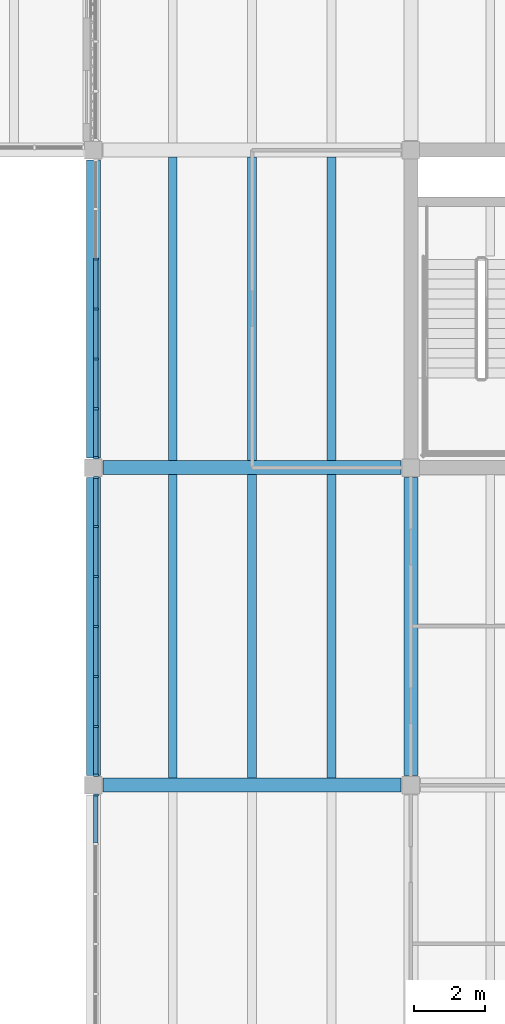
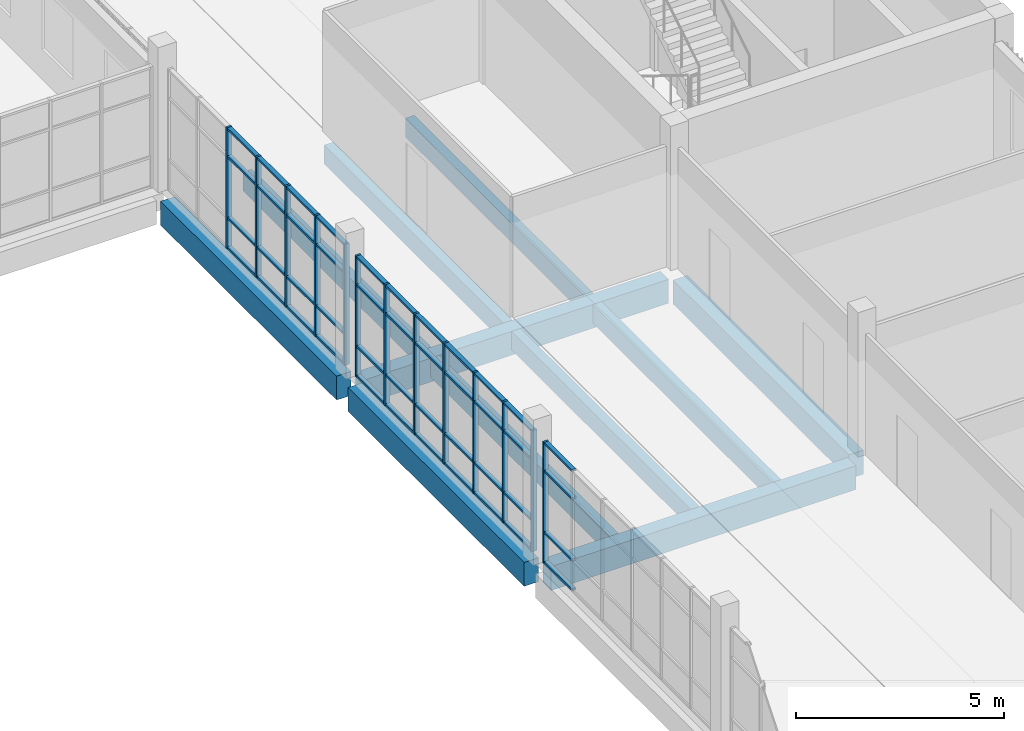
# One storey, part 22 of 92: 57 members, 11 beams, 3 elements without a shape of their own.
"""IFC4 building model written with IfcOpenShell, lengths in metres."""

from ifc_helpers import new_model, si_unit, direction, frame, origin, origin_2d, place, context, subcontext, project, spatial, rectangle, extrude, material, material_profile, profile_set, type_object, element, aggregate, save


model = new_model("IFC4")

# Units and contexts
model_context = context("Model", 3, precision=1e-05, world=origin(), true_north=direction((0.0, 1.0)))
body_context = subcontext(model_context, "Body", "Model", "MODEL_VIEW")
ifc_project = project(units=[si_unit("LENGTHUNIT", "METRE"), si_unit("AREAUNIT", "SQUARE_METRE"), si_unit("VOLUMEUNIT", "CUBIC_METRE"), si_unit("PLANEANGLEUNIT", "RADIAN"), si_unit("MASSUNIT", "GRAM", prefix="KILO")], contexts=[model_context])

# Site, building, storey
site_placement = place(None, origin())
site = spatial("IfcSite", under=ifc_project, at=site_placement, CompositionType="ELEMENT")
building_placement = place(site_placement, origin())
building = spatial("IfcBuilding", under=site, at=building_placement, Name="Merrow Basin Faculty of Sciences", CompositionType="ELEMENT")
storey_placement = place(building_placement, frame((0.0, 0.0, 4.5)))
storey = spatial("IfcBuildingStorey", under=building, at=storey_placement, Name="L01", CompositionType="ELEMENT", Elevation=4.5)

# Curtain wall, member
ifc_material_1 = material(Name="Aluminium alloy 6063", Category="aluminium")
curtain_wall_type = type_object("IfcCurtainWallType", Name="Court curtain wall 140", PredefinedType="NOTDEFINED", material=ifc_material_1)
curtain_wall_1_placement = place(storey_placement, origin())
curtain_wall_1 = element("IfcCurtainWall", 1, at=curtain_wall_1_placement, inside=storey, type_object=curtain_wall_type, Name="Court curtain wall L01 4", PredefinedType="NOTDEFINED")
ifc_material_2 = material(Name="Aluminium alloy 6063", Category="aluminium")
ifc_material_profile_1 = material_profile(ifc_material_2, rectangle(XDim=0.139892578125, YDim=0.06005859375, at=origin_2d()))
ifc_profile_set_1 = profile_set([ifc_material_profile_1], Name="Aluminium alloy 6063")
member_type_1 = type_object("IfcMemberType", Name="Aluminium mullion 60x140", PredefinedType="MULLION", material=ifc_profile_set_1)
member_1_placement = place(storey_placement, frame((54.070068359375, 96.719970703125, 0.0), z_axis=(0.0, 0.0, 1.0), x_axis=(-1.0, 0.0, 0.0)))
member_1 = element("IfcMember", 2, at=member_1_placement, type_object=member_type_1, Name="CW8 mullion 7", PredefinedType="MULLION", context=body_context, shape_type="SweptSolid", body=[
    extrude(rectangle(XDim=0.139892578125, YDim=0.06005859375, at=origin_2d()), origin(), (0.0, 0.0, 1.0), 3.550048828125),
])

# Curtain wall, members
curtain_wall_2_placement = place(storey_placement, origin())
curtain_wall_2 = element("IfcCurtainWall", 3, at=curtain_wall_2_placement, inside=storey, type_object=curtain_wall_type, Name="Court curtain wall L01 5", PredefinedType="NOTDEFINED")
member_2_placement = place(storey_placement, frame((54.070068359375, 97.280029296875, 0.0), z_axis=(0.0, 0.0, 1.0), x_axis=(-1.0, 0.0, 0.0)))
member_2 = element("IfcMember", 4, at=member_2_placement, type_object=member_type_1, Name="CW8 mullion 1", PredefinedType="MULLION", context=body_context, shape_type="SweptSolid", body=[
    extrude(rectangle(XDim=0.139892578125, YDim=0.06005859375, at=origin_2d()), origin(), (0.0, 0.0, 1.0), 3.550048828125),
])
member_3_placement = place(storey_placement, frame((54.070068359375, 98.666748046875, 0.0), z_axis=(0.0, 0.0, 1.0), x_axis=(-1.0, 0.0, 0.0)))
member_3 = element("IfcMember", 5, at=member_3_placement, type_object=member_type_1, Name="CW8 mullion 2", PredefinedType="MULLION", context=body_context, shape_type="SweptSolid", body=[
    extrude(rectangle(XDim=0.139892578125, YDim=0.06005859375, at=origin_2d()), origin(), (0.0, 0.0, 1.0), 3.550048828125),
])
member_4_placement = place(storey_placement, frame((54.070068359375, 100.083251953125, 0.0), z_axis=(0.0, 0.0, 1.0), x_axis=(-1.0, 0.0, 0.0)))
member_4 = element("IfcMember", 6, at=member_4_placement, type_object=member_type_1, Name="CW8 mullion 3", PredefinedType="MULLION", context=body_context, shape_type="SweptSolid", body=[
    extrude(rectangle(XDim=0.139892578125, YDim=0.06005859375, at=origin_2d()), origin(), (0.0, 0.0, 1.0), 3.550048828125),
])
member_5_placement = place(storey_placement, frame((54.070068359375, 101.5, 0.0), z_axis=(0.0, 0.0, 1.0), x_axis=(-1.0, 0.0, 0.0)))
member_5 = element("IfcMember", 7, at=member_5_placement, type_object=member_type_1, Name="CW8 mullion 4", PredefinedType="MULLION", context=body_context, shape_type="SweptSolid", body=[
    extrude(rectangle(XDim=0.139892578125, YDim=0.06005859375, at=origin_2d()), origin(), (0.0, 0.0, 1.0), 3.550048828125),
])
member_6_placement = place(storey_placement, frame((54.070068359375, 102.916748046875, 0.0), z_axis=(0.0, 0.0, 1.0), x_axis=(-1.0, 0.0, 0.0)))
member_6 = element("IfcMember", 8, at=member_6_placement, type_object=member_type_1, Name="CW8 mullion 5", PredefinedType="MULLION", context=body_context, shape_type="SweptSolid", body=[
    extrude(rectangle(XDim=0.139892578125, YDim=0.06005859375, at=origin_2d()), origin(), (0.0, 0.0, 1.0), 3.550048828125),
])
member_7_placement = place(storey_placement, frame((54.070068359375, 104.333251953125, 0.0), z_axis=(0.0, 0.0, 1.0), x_axis=(-1.0, 0.0, 0.0)))
member_7 = element("IfcMember", 9, at=member_7_placement, type_object=member_type_1, Name="CW8 mullion 6", PredefinedType="MULLION", context=body_context, shape_type="SweptSolid", body=[
    extrude(rectangle(XDim=0.139892578125, YDim=0.06005859375, at=origin_2d()), origin(), (0.0, 0.0, 1.0), 3.550048828125),
])
member_8_placement = place(storey_placement, frame((54.070068359375, 105.719970703125, 0.0), z_axis=(0.0, 0.0, 1.0), x_axis=(-1.0, 0.0, 0.0)))
member_8 = element("IfcMember", 10, at=member_8_placement, type_object=member_type_1, Name="CW8 mullion 7", PredefinedType="MULLION", context=body_context, shape_type="SweptSolid", body=[
    extrude(rectangle(XDim=0.139892578125, YDim=0.06005859375, at=origin_2d()), origin(), (0.0, 0.0, 1.0), 3.550048828125),
])

curtain_wall_3_placement = place(storey_placement, origin())
curtain_wall_3 = element("IfcCurtainWall", 11, at=curtain_wall_3_placement, inside=storey, type_object=curtain_wall_type, Name="Court curtain wall L01 6", PredefinedType="NOTDEFINED")
member_9_placement = place(storey_placement, frame((54.070068359375, 106.280029296875, 0.0), z_axis=(0.0, 0.0, 1.0), x_axis=(-1.0, 0.0, 0.0)))
member_9 = element("IfcMember", 12, at=member_9_placement, type_object=member_type_1, Name="CW8 mullion 1", PredefinedType="MULLION", context=body_context, shape_type="SweptSolid", body=[
    extrude(rectangle(XDim=0.139892578125, YDim=0.06005859375, at=origin_2d()), origin(), (0.0, 0.0, 1.0), 3.550048828125),
])
member_10_placement = place(storey_placement, frame((54.070068359375, 107.666748046875, 0.0), z_axis=(0.0, 0.0, 1.0), x_axis=(-1.0, 0.0, 0.0)))
member_10 = element("IfcMember", 13, at=member_10_placement, type_object=member_type_1, Name="CW8 mullion 2", PredefinedType="MULLION", context=body_context, shape_type="SweptSolid", body=[
    extrude(rectangle(XDim=0.139892578125, YDim=0.06005859375, at=origin_2d()), origin(), (0.0, 0.0, 1.0), 3.550048828125),
])
member_11_placement = place(storey_placement, frame((54.070068359375, 109.083251953125, 0.0), z_axis=(0.0, 0.0, 1.0), x_axis=(-1.0, 0.0, 0.0)))
member_11 = element("IfcMember", 14, at=member_11_placement, type_object=member_type_1, Name="CW8 mullion 3", PredefinedType="MULLION", context=body_context, shape_type="SweptSolid", body=[
    extrude(rectangle(XDim=0.139892578125, YDim=0.06005859375, at=origin_2d()), origin(), (0.0, 0.0, 1.0), 3.550048828125),
])
member_12_placement = place(storey_placement, frame((54.070068359375, 110.5, 0.0), z_axis=(0.0, 0.0, 1.0), x_axis=(-1.0, 0.0, 0.0)))
member_12 = element("IfcMember", 15, at=member_12_placement, type_object=member_type_1, Name="CW8 mullion 4", PredefinedType="MULLION", context=body_context, shape_type="SweptSolid", body=[
    extrude(rectangle(XDim=0.139892578125, YDim=0.06005859375, at=origin_2d()), origin(), (0.0, 0.0, 1.0), 3.550048828125),
])
member_13_placement = place(storey_placement, frame((54.070068359375, 111.916748046875, 0.0), z_axis=(0.0, 0.0, 1.0), x_axis=(-1.0, 0.0, 0.0)))
member_13 = element("IfcMember", 16, at=member_13_placement, type_object=member_type_1, Name="CW8 mullion 5", PredefinedType="MULLION", context=body_context, shape_type="SweptSolid", body=[
    extrude(rectangle(XDim=0.139892578125, YDim=0.06005859375, at=origin_2d()), origin(), (0.0, 0.0, 1.0), 3.550048828125),
])

# Member
ifc_material_3 = material(Name="Aluminium alloy 6063", Category="aluminium")
ifc_material_profile_2 = material_profile(ifc_material_3, rectangle(XDim=0.1201171875, YDim=0.06005859375, at=origin_2d()))
ifc_profile_set_2 = profile_set([ifc_material_profile_2], Name="Aluminium alloy 6063")
member_type_2 = type_object("IfcMemberType", Name="Aluminium transom 60x120", PredefinedType="USERDEFINED", material=ifc_profile_set_2)
member_14_placement = place(storey_placement, frame((54.070068359375, 95.36328125, 0.030029296875), z_axis=(0.0, 1.0, 0.0), x_axis=(-1.0, 0.0, 0.0)))
member_14 = element("IfcMember", 17, at=member_14_placement, type_object=member_type_2, Name="CW8 transom 6.1", ObjectType="TRANSOM", PredefinedType="USERDEFINED", context=body_context, shape_type="SweptSolid", body=[
    extrude(rectangle(XDim=0.1201171875, YDim=0.06005859375, at=origin_2d()), origin(), (0.0, 0.0, 1.0), 1.32666015625),
])

member_15_placement = place(storey_placement, frame((54.070068359375, 95.36328125, 0.89990234375), z_axis=(0.0, 1.0, 0.0), x_axis=(-1.0, 0.0, 0.0)))
member_15 = element("IfcMember", 18, at=member_15_placement, type_object=member_type_2, Name="CW8 transom 6.2", ObjectType="TRANSOM", PredefinedType="USERDEFINED", context=body_context, shape_type="SweptSolid", body=[
    extrude(rectangle(XDim=0.1201171875, YDim=0.06005859375, at=origin_2d()), origin(), (0.0, 0.0, 1.0), 1.32666015625),
])

member_16_placement = place(storey_placement, frame((54.070068359375, 95.36328125, 2.699951171875), z_axis=(0.0, 1.0, 0.0), x_axis=(-1.0, 0.0, 0.0)))
member_16 = element("IfcMember", 19, at=member_16_placement, type_object=member_type_2, Name="CW8 transom 6.3", ObjectType="TRANSOM", PredefinedType="USERDEFINED", context=body_context, shape_type="SweptSolid", body=[
    extrude(rectangle(XDim=0.1201171875, YDim=0.06005859375, at=origin_2d()), origin(), (0.0, 0.0, 1.0), 1.32666015625),
])

member_17_placement = place(storey_placement, frame((54.070068359375, 95.36328125, 3.52001953125), z_axis=(0.0, 1.0, 0.0), x_axis=(-1.0, 0.0, 0.0)))
member_17 = element("IfcMember", 20, at=member_17_placement, type_object=member_type_2, Name="CW8 transom 6.4", ObjectType="TRANSOM", PredefinedType="USERDEFINED", context=body_context, shape_type="SweptSolid", body=[
    extrude(rectangle(XDim=0.1201171875, YDim=0.06005859375, at=origin_2d()), origin(), (0.0, 0.0, 1.0), 1.32666015625),
])

aggregate(curtain_wall_1, [member_1, member_14, member_15, member_16, member_17])

member_18_placement = place(storey_placement, frame((54.070068359375, 97.31005859375, 0.030029296875), z_axis=(0.0, 1.0, 0.0), x_axis=(-1.0, 0.0, 0.0)))
member_18 = element("IfcMember", 21, at=member_18_placement, type_object=member_type_2, Name="CW8 transom 1.1", ObjectType="TRANSOM", PredefinedType="USERDEFINED", context=body_context, shape_type="SweptSolid", body=[
    extrude(rectangle(XDim=0.1201171875, YDim=0.06005859375, at=origin_2d()), origin(), (0.0, 0.0, 1.0), 1.32666015625),
])

member_19_placement = place(storey_placement, frame((54.070068359375, 97.31005859375, 0.89990234375), z_axis=(0.0, 1.0, 0.0), x_axis=(-1.0, 0.0, 0.0)))
member_19 = element("IfcMember", 22, at=member_19_placement, type_object=member_type_2, Name="CW8 transom 1.2", ObjectType="TRANSOM", PredefinedType="USERDEFINED", context=body_context, shape_type="SweptSolid", body=[
    extrude(rectangle(XDim=0.1201171875, YDim=0.06005859375, at=origin_2d()), origin(), (0.0, 0.0, 1.0), 1.32666015625),
])

member_20_placement = place(storey_placement, frame((54.070068359375, 97.31005859375, 2.699951171875), z_axis=(0.0, 1.0, 0.0), x_axis=(-1.0, 0.0, 0.0)))
member_20 = element("IfcMember", 23, at=member_20_placement, type_object=member_type_2, Name="CW8 transom 1.3", ObjectType="TRANSOM", PredefinedType="USERDEFINED", context=body_context, shape_type="SweptSolid", body=[
    extrude(rectangle(XDim=0.1201171875, YDim=0.06005859375, at=origin_2d()), origin(), (0.0, 0.0, 1.0), 1.32666015625),
])

member_21_placement = place(storey_placement, frame((54.070068359375, 97.31005859375, 3.52001953125), z_axis=(0.0, 1.0, 0.0), x_axis=(-1.0, 0.0, 0.0)))
member_21 = element("IfcMember", 24, at=member_21_placement, type_object=member_type_2, Name="CW8 transom 1.4", ObjectType="TRANSOM", PredefinedType="USERDEFINED", context=body_context, shape_type="SweptSolid", body=[
    extrude(rectangle(XDim=0.1201171875, YDim=0.06005859375, at=origin_2d()), origin(), (0.0, 0.0, 1.0), 1.32666015625),
])

member_22_placement = place(storey_placement, frame((54.070068359375, 98.69677734375, 0.030029296875), z_axis=(0.0, 1.0, 0.0), x_axis=(-1.0, 0.0, 0.0)))
member_22 = element("IfcMember", 25, at=member_22_placement, type_object=member_type_2, Name="CW8 transom 2.1", ObjectType="TRANSOM", PredefinedType="USERDEFINED", context=body_context, shape_type="SweptSolid", body=[
    extrude(rectangle(XDim=0.1201171875, YDim=0.06005859375, at=origin_2d()), origin(), (0.0, 0.0, 1.0), 1.3564453125),
])

member_23_placement = place(storey_placement, frame((54.070068359375, 98.69677734375, 0.89990234375), z_axis=(0.0, 1.0, 0.0), x_axis=(-1.0, 0.0, 0.0)))
member_23 = element("IfcMember", 26, at=member_23_placement, type_object=member_type_2, Name="CW8 transom 2.2", ObjectType="TRANSOM", PredefinedType="USERDEFINED", context=body_context, shape_type="SweptSolid", body=[
    extrude(rectangle(XDim=0.1201171875, YDim=0.06005859375, at=origin_2d()), origin(), (0.0, 0.0, 1.0), 1.3564453125),
])

member_24_placement = place(storey_placement, frame((54.070068359375, 98.69677734375, 2.699951171875), z_axis=(0.0, 1.0, 0.0), x_axis=(-1.0, 0.0, 0.0)))
member_24 = element("IfcMember", 27, at=member_24_placement, type_object=member_type_2, Name="CW8 transom 2.3", ObjectType="TRANSOM", PredefinedType="USERDEFINED", context=body_context, shape_type="SweptSolid", body=[
    extrude(rectangle(XDim=0.1201171875, YDim=0.06005859375, at=origin_2d()), origin(), (0.0, 0.0, 1.0), 1.3564453125),
])

member_25_placement = place(storey_placement, frame((54.070068359375, 98.69677734375, 3.52001953125), z_axis=(0.0, 1.0, 0.0), x_axis=(-1.0, 0.0, 0.0)))
member_25 = element("IfcMember", 28, at=member_25_placement, type_object=member_type_2, Name="CW8 transom 2.4", ObjectType="TRANSOM", PredefinedType="USERDEFINED", context=body_context, shape_type="SweptSolid", body=[
    extrude(rectangle(XDim=0.1201171875, YDim=0.06005859375, at=origin_2d()), origin(), (0.0, 0.0, 1.0), 1.3564453125),
])

member_26_placement = place(storey_placement, frame((54.070068359375, 100.11328125, 0.030029296875), z_axis=(0.0, 1.0, 0.0), x_axis=(-1.0, 0.0, 0.0)))
member_26 = element("IfcMember", 29, at=member_26_placement, type_object=member_type_2, Name="CW8 transom 3.1", ObjectType="TRANSOM", PredefinedType="USERDEFINED", context=body_context, shape_type="SweptSolid", body=[
    extrude(rectangle(XDim=0.1201171875, YDim=0.06005859375, at=origin_2d()), origin(), (0.0, 0.0, 1.0), 1.356689453125),
])

member_27_placement = place(storey_placement, frame((54.070068359375, 100.11328125, 0.89990234375), z_axis=(0.0, 1.0, 0.0), x_axis=(-1.0, 0.0, 0.0)))
member_27 = element("IfcMember", 30, at=member_27_placement, type_object=member_type_2, Name="CW8 transom 3.2", ObjectType="TRANSOM", PredefinedType="USERDEFINED", context=body_context, shape_type="SweptSolid", body=[
    extrude(rectangle(XDim=0.1201171875, YDim=0.06005859375, at=origin_2d()), origin(), (0.0, 0.0, 1.0), 1.356689453125),
])

member_28_placement = place(storey_placement, frame((54.070068359375, 100.11328125, 2.699951171875), z_axis=(0.0, 1.0, 0.0), x_axis=(-1.0, 0.0, 0.0)))
member_28 = element("IfcMember", 31, at=member_28_placement, type_object=member_type_2, Name="CW8 transom 3.3", ObjectType="TRANSOM", PredefinedType="USERDEFINED", context=body_context, shape_type="SweptSolid", body=[
    extrude(rectangle(XDim=0.1201171875, YDim=0.06005859375, at=origin_2d()), origin(), (0.0, 0.0, 1.0), 1.356689453125),
])

member_29_placement = place(storey_placement, frame((54.070068359375, 100.11328125, 3.52001953125), z_axis=(0.0, 1.0, 0.0), x_axis=(-1.0, 0.0, 0.0)))
member_29 = element("IfcMember", 32, at=member_29_placement, type_object=member_type_2, Name="CW8 transom 3.4", ObjectType="TRANSOM", PredefinedType="USERDEFINED", context=body_context, shape_type="SweptSolid", body=[
    extrude(rectangle(XDim=0.1201171875, YDim=0.06005859375, at=origin_2d()), origin(), (0.0, 0.0, 1.0), 1.356689453125),
])

member_30_placement = place(storey_placement, frame((54.070068359375, 101.530029296875, 0.030029296875), z_axis=(0.0, 1.0, 0.0), x_axis=(-1.0, 0.0, 0.0)))
member_30 = element("IfcMember", 33, at=member_30_placement, type_object=member_type_2, Name="CW8 transom 4.1", ObjectType="TRANSOM", PredefinedType="USERDEFINED", context=body_context, shape_type="SweptSolid", body=[
    extrude(rectangle(XDim=0.1201171875, YDim=0.06005859375, at=origin_2d()), origin(), (0.0, 0.0, 1.0), 1.356689453125),
])

member_31_placement = place(storey_placement, frame((54.070068359375, 101.530029296875, 0.89990234375), z_axis=(0.0, 1.0, 0.0), x_axis=(-1.0, 0.0, 0.0)))
member_31 = element("IfcMember", 34, at=member_31_placement, type_object=member_type_2, Name="CW8 transom 4.2", ObjectType="TRANSOM", PredefinedType="USERDEFINED", context=body_context, shape_type="SweptSolid", body=[
    extrude(rectangle(XDim=0.1201171875, YDim=0.06005859375, at=origin_2d()), origin(), (0.0, 0.0, 1.0), 1.356689453125),
])

member_32_placement = place(storey_placement, frame((54.070068359375, 101.530029296875, 2.699951171875), z_axis=(0.0, 1.0, 0.0), x_axis=(-1.0, 0.0, 0.0)))
member_32 = element("IfcMember", 35, at=member_32_placement, type_object=member_type_2, Name="CW8 transom 4.3", ObjectType="TRANSOM", PredefinedType="USERDEFINED", context=body_context, shape_type="SweptSolid", body=[
    extrude(rectangle(XDim=0.1201171875, YDim=0.06005859375, at=origin_2d()), origin(), (0.0, 0.0, 1.0), 1.356689453125),
])

member_33_placement = place(storey_placement, frame((54.070068359375, 101.530029296875, 3.52001953125), z_axis=(0.0, 1.0, 0.0), x_axis=(-1.0, 0.0, 0.0)))
member_33 = element("IfcMember", 36, at=member_33_placement, type_object=member_type_2, Name="CW8 transom 4.4", ObjectType="TRANSOM", PredefinedType="USERDEFINED", context=body_context, shape_type="SweptSolid", body=[
    extrude(rectangle(XDim=0.1201171875, YDim=0.06005859375, at=origin_2d()), origin(), (0.0, 0.0, 1.0), 1.356689453125),
])

member_34_placement = place(storey_placement, frame((54.070068359375, 102.94677734375, 0.030029296875), z_axis=(0.0, 1.0, 0.0), x_axis=(-1.0, 0.0, 0.0)))
member_34 = element("IfcMember", 37, at=member_34_placement, type_object=member_type_2, Name="CW8 transom 5.1", ObjectType="TRANSOM", PredefinedType="USERDEFINED", context=body_context, shape_type="SweptSolid", body=[
    extrude(rectangle(XDim=0.1201171875, YDim=0.06005859375, at=origin_2d()), origin(), (0.0, 0.0, 1.0), 1.3564453125),
])

member_35_placement = place(storey_placement, frame((54.070068359375, 102.94677734375, 0.89990234375), z_axis=(0.0, 1.0, 0.0), x_axis=(-1.0, 0.0, 0.0)))
member_35 = element("IfcMember", 38, at=member_35_placement, type_object=member_type_2, Name="CW8 transom 5.2", ObjectType="TRANSOM", PredefinedType="USERDEFINED", context=body_context, shape_type="SweptSolid", body=[
    extrude(rectangle(XDim=0.1201171875, YDim=0.06005859375, at=origin_2d()), origin(), (0.0, 0.0, 1.0), 1.3564453125),
])

member_36_placement = place(storey_placement, frame((54.070068359375, 102.94677734375, 2.699951171875), z_axis=(0.0, 1.0, 0.0), x_axis=(-1.0, 0.0, 0.0)))
member_36 = element("IfcMember", 39, at=member_36_placement, type_object=member_type_2, Name="CW8 transom 5.3", ObjectType="TRANSOM", PredefinedType="USERDEFINED", context=body_context, shape_type="SweptSolid", body=[
    extrude(rectangle(XDim=0.1201171875, YDim=0.06005859375, at=origin_2d()), origin(), (0.0, 0.0, 1.0), 1.3564453125),
])

member_37_placement = place(storey_placement, frame((54.070068359375, 102.94677734375, 3.52001953125), z_axis=(0.0, 1.0, 0.0), x_axis=(-1.0, 0.0, 0.0)))
member_37 = element("IfcMember", 40, at=member_37_placement, type_object=member_type_2, Name="CW8 transom 5.4", ObjectType="TRANSOM", PredefinedType="USERDEFINED", context=body_context, shape_type="SweptSolid", body=[
    extrude(rectangle(XDim=0.1201171875, YDim=0.06005859375, at=origin_2d()), origin(), (0.0, 0.0, 1.0), 1.3564453125),
])

member_38_placement = place(storey_placement, frame((54.070068359375, 104.36328125, 0.030029296875), z_axis=(0.0, 1.0, 0.0), x_axis=(-1.0, 0.0, 0.0)))
member_38 = element("IfcMember", 41, at=member_38_placement, type_object=member_type_2, Name="CW8 transom 6.1", ObjectType="TRANSOM", PredefinedType="USERDEFINED", context=body_context, shape_type="SweptSolid", body=[
    extrude(rectangle(XDim=0.1201171875, YDim=0.06005859375, at=origin_2d()), origin(), (0.0, 0.0, 1.0), 1.32666015625),
])

member_39_placement = place(storey_placement, frame((54.070068359375, 104.36328125, 0.89990234375), z_axis=(0.0, 1.0, 0.0), x_axis=(-1.0, 0.0, 0.0)))
member_39 = element("IfcMember", 42, at=member_39_placement, type_object=member_type_2, Name="CW8 transom 6.2", ObjectType="TRANSOM", PredefinedType="USERDEFINED", context=body_context, shape_type="SweptSolid", body=[
    extrude(rectangle(XDim=0.1201171875, YDim=0.06005859375, at=origin_2d()), origin(), (0.0, 0.0, 1.0), 1.32666015625),
])

member_40_placement = place(storey_placement, frame((54.070068359375, 104.36328125, 2.699951171875), z_axis=(0.0, 1.0, 0.0), x_axis=(-1.0, 0.0, 0.0)))
member_40 = element("IfcMember", 43, at=member_40_placement, type_object=member_type_2, Name="CW8 transom 6.3", ObjectType="TRANSOM", PredefinedType="USERDEFINED", context=body_context, shape_type="SweptSolid", body=[
    extrude(rectangle(XDim=0.1201171875, YDim=0.06005859375, at=origin_2d()), origin(), (0.0, 0.0, 1.0), 1.32666015625),
])

member_41_placement = place(storey_placement, frame((54.070068359375, 104.36328125, 3.52001953125), z_axis=(0.0, 1.0, 0.0), x_axis=(-1.0, 0.0, 0.0)))
member_41 = element("IfcMember", 44, at=member_41_placement, type_object=member_type_2, Name="CW8 transom 6.4", ObjectType="TRANSOM", PredefinedType="USERDEFINED", context=body_context, shape_type="SweptSolid", body=[
    extrude(rectangle(XDim=0.1201171875, YDim=0.06005859375, at=origin_2d()), origin(), (0.0, 0.0, 1.0), 1.32666015625),
])

aggregate(curtain_wall_2, [member_2, member_3, member_4, member_5, member_6, member_7, member_8, member_18, member_19, member_20, member_21, member_22, member_23, member_24, member_25, member_26, member_27, member_28, member_29, member_30, member_31, member_32, member_33, member_34, member_35, member_36, member_37, member_38, member_39, member_40, member_41])

member_42_placement = place(storey_placement, frame((54.070068359375, 106.31005859375, 0.030029296875), z_axis=(0.0, 1.0, 0.0), x_axis=(-1.0, 0.0, 0.0)))
member_42 = element("IfcMember", 45, at=member_42_placement, type_object=member_type_2, Name="CW8 transom 1.1", ObjectType="TRANSOM", PredefinedType="USERDEFINED", context=body_context, shape_type="SweptSolid", body=[
    extrude(rectangle(XDim=0.1201171875, YDim=0.06005859375, at=origin_2d()), origin(), (0.0, 0.0, 1.0), 1.32666015625),
])

member_43_placement = place(storey_placement, frame((54.070068359375, 106.31005859375, 0.89990234375), z_axis=(0.0, 1.0, 0.0), x_axis=(-1.0, 0.0, 0.0)))
member_43 = element("IfcMember", 46, at=member_43_placement, type_object=member_type_2, Name="CW8 transom 1.2", ObjectType="TRANSOM", PredefinedType="USERDEFINED", context=body_context, shape_type="SweptSolid", body=[
    extrude(rectangle(XDim=0.1201171875, YDim=0.06005859375, at=origin_2d()), origin(), (0.0, 0.0, 1.0), 1.32666015625),
])

member_44_placement = place(storey_placement, frame((54.070068359375, 106.31005859375, 2.699951171875), z_axis=(0.0, 1.0, 0.0), x_axis=(-1.0, 0.0, 0.0)))
member_44 = element("IfcMember", 47, at=member_44_placement, type_object=member_type_2, Name="CW8 transom 1.3", ObjectType="TRANSOM", PredefinedType="USERDEFINED", context=body_context, shape_type="SweptSolid", body=[
    extrude(rectangle(XDim=0.1201171875, YDim=0.06005859375, at=origin_2d()), origin(), (0.0, 0.0, 1.0), 1.32666015625),
])

member_45_placement = place(storey_placement, frame((54.070068359375, 106.31005859375, 3.52001953125), z_axis=(0.0, 1.0, 0.0), x_axis=(-1.0, 0.0, 0.0)))
member_45 = element("IfcMember", 48, at=member_45_placement, type_object=member_type_2, Name="CW8 transom 1.4", ObjectType="TRANSOM", PredefinedType="USERDEFINED", context=body_context, shape_type="SweptSolid", body=[
    extrude(rectangle(XDim=0.1201171875, YDim=0.06005859375, at=origin_2d()), origin(), (0.0, 0.0, 1.0), 1.32666015625),
])

member_46_placement = place(storey_placement, frame((54.070068359375, 107.69677734375, 0.030029296875), z_axis=(0.0, 1.0, 0.0), x_axis=(-1.0, 0.0, 0.0)))
member_46 = element("IfcMember", 49, at=member_46_placement, type_object=member_type_2, Name="CW8 transom 2.1", ObjectType="TRANSOM", PredefinedType="USERDEFINED", context=body_context, shape_type="SweptSolid", body=[
    extrude(rectangle(XDim=0.1201171875, YDim=0.06005859375, at=origin_2d()), origin(), (0.0, 0.0, 1.0), 1.3564453125),
])

member_47_placement = place(storey_placement, frame((54.070068359375, 107.69677734375, 0.89990234375), z_axis=(0.0, 1.0, 0.0), x_axis=(-1.0, 0.0, 0.0)))
member_47 = element("IfcMember", 50, at=member_47_placement, type_object=member_type_2, Name="CW8 transom 2.2", ObjectType="TRANSOM", PredefinedType="USERDEFINED", context=body_context, shape_type="SweptSolid", body=[
    extrude(rectangle(XDim=0.1201171875, YDim=0.06005859375, at=origin_2d()), origin(), (0.0, 0.0, 1.0), 1.3564453125),
])

member_48_placement = place(storey_placement, frame((54.070068359375, 107.69677734375, 2.699951171875), z_axis=(0.0, 1.0, 0.0), x_axis=(-1.0, 0.0, 0.0)))
member_48 = element("IfcMember", 51, at=member_48_placement, type_object=member_type_2, Name="CW8 transom 2.3", ObjectType="TRANSOM", PredefinedType="USERDEFINED", context=body_context, shape_type="SweptSolid", body=[
    extrude(rectangle(XDim=0.1201171875, YDim=0.06005859375, at=origin_2d()), origin(), (0.0, 0.0, 1.0), 1.3564453125),
])

member_49_placement = place(storey_placement, frame((54.070068359375, 107.69677734375, 3.52001953125), z_axis=(0.0, 1.0, 0.0), x_axis=(-1.0, 0.0, 0.0)))
member_49 = element("IfcMember", 52, at=member_49_placement, type_object=member_type_2, Name="CW8 transom 2.4", ObjectType="TRANSOM", PredefinedType="USERDEFINED", context=body_context, shape_type="SweptSolid", body=[
    extrude(rectangle(XDim=0.1201171875, YDim=0.06005859375, at=origin_2d()), origin(), (0.0, 0.0, 1.0), 1.3564453125),
])

member_50_placement = place(storey_placement, frame((54.070068359375, 109.11328125, 0.030029296875), z_axis=(0.0, 1.0, 0.0), x_axis=(-1.0, 0.0, 0.0)))
member_50 = element("IfcMember", 53, at=member_50_placement, type_object=member_type_2, Name="CW8 transom 3.1", ObjectType="TRANSOM", PredefinedType="USERDEFINED", context=body_context, shape_type="SweptSolid", body=[
    extrude(rectangle(XDim=0.1201171875, YDim=0.06005859375, at=origin_2d()), origin(), (0.0, 0.0, 1.0), 1.356689453125),
])

member_51_placement = place(storey_placement, frame((54.070068359375, 109.11328125, 0.89990234375), z_axis=(0.0, 1.0, 0.0), x_axis=(-1.0, 0.0, 0.0)))
member_51 = element("IfcMember", 54, at=member_51_placement, type_object=member_type_2, Name="CW8 transom 3.2", ObjectType="TRANSOM", PredefinedType="USERDEFINED", context=body_context, shape_type="SweptSolid", body=[
    extrude(rectangle(XDim=0.1201171875, YDim=0.06005859375, at=origin_2d()), origin(), (0.0, 0.0, 1.0), 1.356689453125),
])

member_52_placement = place(storey_placement, frame((54.070068359375, 109.11328125, 2.699951171875), z_axis=(0.0, 1.0, 0.0), x_axis=(-1.0, 0.0, 0.0)))
member_52 = element("IfcMember", 55, at=member_52_placement, type_object=member_type_2, Name="CW8 transom 3.3", ObjectType="TRANSOM", PredefinedType="USERDEFINED", context=body_context, shape_type="SweptSolid", body=[
    extrude(rectangle(XDim=0.1201171875, YDim=0.06005859375, at=origin_2d()), origin(), (0.0, 0.0, 1.0), 1.356689453125),
])

member_53_placement = place(storey_placement, frame((54.070068359375, 109.11328125, 3.52001953125), z_axis=(0.0, 1.0, 0.0), x_axis=(-1.0, 0.0, 0.0)))
member_53 = element("IfcMember", 56, at=member_53_placement, type_object=member_type_2, Name="CW8 transom 3.4", ObjectType="TRANSOM", PredefinedType="USERDEFINED", context=body_context, shape_type="SweptSolid", body=[
    extrude(rectangle(XDim=0.1201171875, YDim=0.06005859375, at=origin_2d()), origin(), (0.0, 0.0, 1.0), 1.356689453125),
])

member_54_placement = place(storey_placement, frame((54.070068359375, 110.530029296875, 0.030029296875), z_axis=(0.0, 1.0, 0.0), x_axis=(-1.0, 0.0, 0.0)))
member_54 = element("IfcMember", 57, at=member_54_placement, type_object=member_type_2, Name="CW8 transom 4.1", ObjectType="TRANSOM", PredefinedType="USERDEFINED", context=body_context, shape_type="SweptSolid", body=[
    extrude(rectangle(XDim=0.1201171875, YDim=0.06005859375, at=origin_2d()), origin(), (0.0, 0.0, 1.0), 1.356689453125),
])

member_55_placement = place(storey_placement, frame((54.070068359375, 110.530029296875, 0.89990234375), z_axis=(0.0, 1.0, 0.0), x_axis=(-1.0, 0.0, 0.0)))
member_55 = element("IfcMember", 58, at=member_55_placement, type_object=member_type_2, Name="CW8 transom 4.2", ObjectType="TRANSOM", PredefinedType="USERDEFINED", context=body_context, shape_type="SweptSolid", body=[
    extrude(rectangle(XDim=0.1201171875, YDim=0.06005859375, at=origin_2d()), origin(), (0.0, 0.0, 1.0), 1.356689453125),
])

member_56_placement = place(storey_placement, frame((54.070068359375, 110.530029296875, 2.699951171875), z_axis=(0.0, 1.0, 0.0), x_axis=(-1.0, 0.0, 0.0)))
member_56 = element("IfcMember", 59, at=member_56_placement, type_object=member_type_2, Name="CW8 transom 4.3", ObjectType="TRANSOM", PredefinedType="USERDEFINED", context=body_context, shape_type="SweptSolid", body=[
    extrude(rectangle(XDim=0.1201171875, YDim=0.06005859375, at=origin_2d()), origin(), (0.0, 0.0, 1.0), 1.356689453125),
])

member_57_placement = place(storey_placement, frame((54.070068359375, 110.530029296875, 3.52001953125), z_axis=(0.0, 1.0, 0.0), x_axis=(-1.0, 0.0, 0.0)))
member_57 = element("IfcMember", 60, at=member_57_placement, type_object=member_type_2, Name="CW8 transom 4.4", ObjectType="TRANSOM", PredefinedType="USERDEFINED", context=body_context, shape_type="SweptSolid", body=[
    extrude(rectangle(XDim=0.1201171875, YDim=0.06005859375, at=origin_2d()), origin(), (0.0, 0.0, 1.0), 1.356689453125),
])

aggregate(curtain_wall_3, [member_9, member_10, member_11, member_12, member_13, member_42, member_43, member_44, member_45, member_46, member_47, member_48, member_49, member_50, member_51, member_52, member_53, member_54, member_55, member_56, member_57])

# Beams
ifc_material_4 = material(Name="Concrete C40/50", Category="concrete")
ifc_material_profile_3 = material_profile(ifc_material_4, rectangle(XDim=0.39990234375, YDim=0.699951171875, at=origin_2d()))
ifc_profile_set_3 = profile_set([ifc_material_profile_3], Name="Concrete C40/50")
beam_type_1 = type_object("IfcBeamType", Name="Beam RC400x700 C40/50", PredefinedType="BEAM", material=ifc_profile_set_3)
for number, where, z_axis, x_axis, name in (
    (61, (54.27490234375, 97.0, -0.60009765625), (1.0, 0.0, 0.0), (0.0, 1.0, 0.0), "B3 L01 007"),
    (62, (54.27490234375, 106.0, -0.60009765625), (1.0, 0.0, 0.0), (0.0, 1.0, 0.0), "B3 L01 009"),
    (63, (54.0, 97.27490234375, -0.60009765625), (0.0, 1.0, 0.0), (-1.0, 0.0, 0.0), "B3 L01 028"),
    (64, (54.0, 106.27490234375, -0.60009765625), (0.0, 1.0, 0.0), (-1.0, 0.0, 0.0), "B3 L01 029"),
    (65, (63.0, 97.27490234375, -0.60009765625), (0.0, 1.0, 0.0), (-1.0, 0.0, 0.0), "B3 L01 035"),
):
    element("IfcBeam", number, at=place(storey_placement, frame(where, z_axis=z_axis, x_axis=x_axis)), inside=storey, type_object=beam_type_1, Name=name, PredefinedType="BEAM", context=body_context, shape_type="SweptSolid", body=[
        extrude(rectangle(XDim=0.39990234375, YDim=0.699951171875, at=origin_2d()), origin(), (0.0, 0.0, 1.0), 8.4501953125),
    ])
ifc_material_5 = material(Name="Concrete C40/50", Category="concrete")
ifc_material_profile_4 = material_profile(ifc_material_5, rectangle(XDim=0.25, YDim=0.550048828125, at=origin_2d()))
ifc_profile_set_4 = profile_set([ifc_material_profile_4], Name="Concrete C40/50")
beam_type_2 = type_object("IfcBeamType", Name="Commons floor joist RC250x550 C40/50", PredefinedType="BEAM", material=ifc_profile_set_4)
for number, where, z_axis, x_axis, name in (
    (66, (56.25, 97.199951171875, -0.52490234375), (0.0, 1.0, 0.0), (-1.0, 0.0, 0.0), "JC1 L01 072"),
    (67, (58.5, 97.199951171875, -0.52490234375), (0.0, 1.0, 0.0), (-1.0, 0.0, 0.0), "JC1 L01 073"),
    (68, (60.75, 97.199951171875, -0.52490234375), (0.0, 1.0, 0.0), (-1.0, 0.0, 0.0), "JC1 L01 074"),
    (69, (56.25, 106.199951171875, -0.52490234375), (0.0, 1.0, 0.0), (-1.0, 0.0, 0.0), "JC1 L01 075"),
    (70, (58.5, 106.199951171875, -0.52490234375), (0.0, 1.0, 0.0), (-1.0, 0.0, 0.0), "JC1 L01 076"),
    (71, (60.75, 106.199951171875, -0.52490234375), (0.0, 1.0, 0.0), (-1.0, 0.0, 0.0), "JC1 L01 077"),
):
    element("IfcBeam", number, at=place(storey_placement, frame(where, z_axis=z_axis, x_axis=x_axis)), inside=storey, type_object=beam_type_2, Name=name, PredefinedType="BEAM", context=body_context, shape_type="SweptSolid", body=[
        extrude(rectangle(XDim=0.25, YDim=0.550048828125, at=origin_2d()), origin(), (0.0, 0.0, 1.0), 8.60009765625),
    ])

save(model, "model.ifc")
